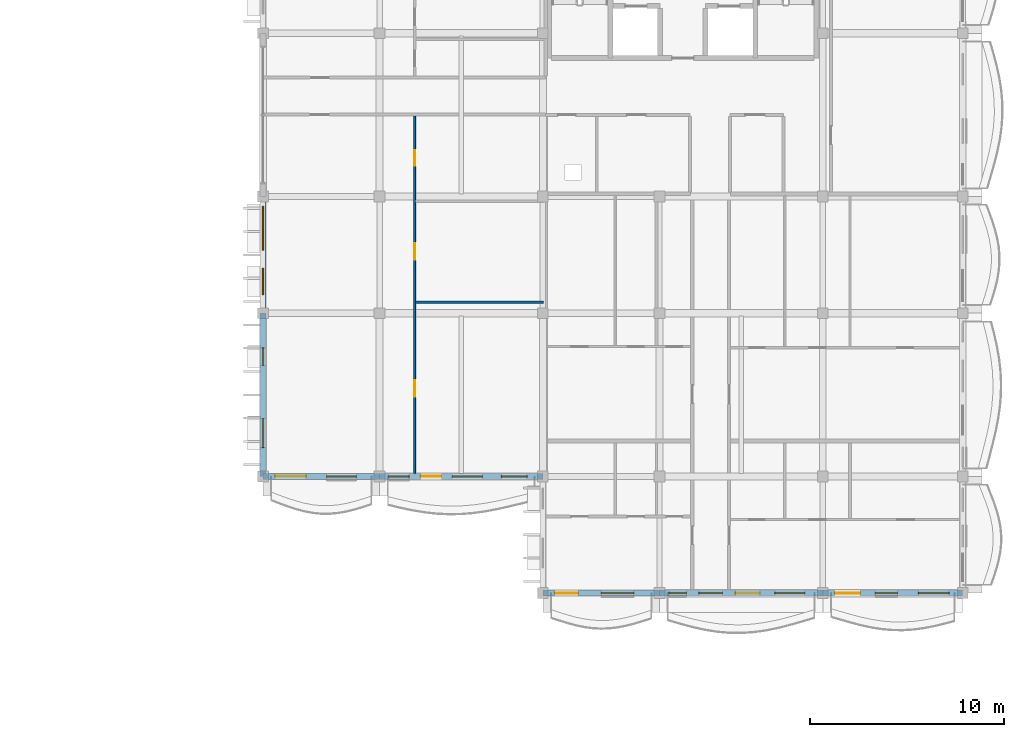
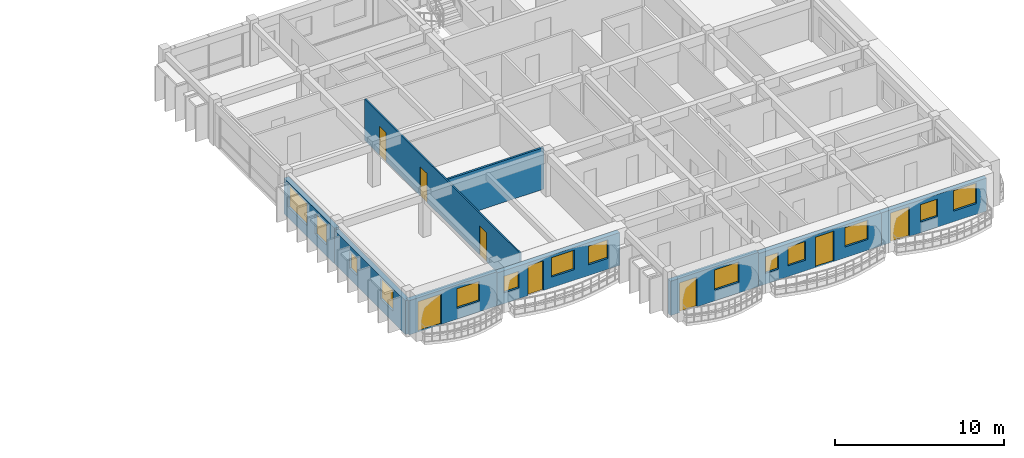
# One storey, part 41 of 79: 14 windows, 9 walls, 8 doors, 22 openings.
"""IFC4 building model written with IfcOpenShell, lengths in metres."""

from ifc_helpers import new_model, si_unit, direction, frame, frame_2d, origin, place, context, subcontext, project, spatial, rectangle, extrude, material, layer, layer_set, type_object, element, fill, save


model = new_model("IFC4")

# Units and contexts
model_context = context("Model", 3, precision=1e-05, world=origin(), true_north=direction((0.0, 1.0)))
body_context = subcontext(model_context, "Body", "Model", "MODEL_VIEW")
ifc_project = project(units=[si_unit("LENGTHUNIT", "METRE"), si_unit("AREAUNIT", "SQUARE_METRE"), si_unit("VOLUMEUNIT", "CUBIC_METRE"), si_unit("PLANEANGLEUNIT", "RADIAN"), si_unit("MASSUNIT", "GRAM", prefix="KILO"), si_unit("THERMODYNAMICTEMPERATUREUNIT", "KELVIN")], contexts=[model_context])

# Site, building, storey
site_placement = place(None, origin())
site = spatial("IfcSite", under=ifc_project, at=site_placement, CompositionType="ELEMENT")
building_placement = place(site_placement, origin())
building = spatial("IfcBuilding", under=site, at=building_placement, Name="Thalorik Housing Commons", CompositionType="ELEMENT")
storey_placement = place(building_placement, frame((0.0, 0.0, 11.39990234375)))
storey = spatial("IfcBuildingStorey", under=building, at=storey_placement, Name="L03", CompositionType="ELEMENT", Elevation=11.39990234375)

# Wall, openings, windows
ifc_material_1 = material(Name="White precast concrete C40/50", Category="concrete")
ifc_layer_1 = layer(ifc_material_1, 0.320068359375, Name="White precast concrete C40/50", Category="concrete")
ifc_layer_set_1 = layer_set([ifc_layer_1], Name="White precast concrete C40/50")
wall_type_1 = type_object("IfcWallType", Name="ARC-WAL-EXT-320", PredefinedType="STANDARD", material=ifc_layer_set_1)
wall_1_placement = place(storey_placement, frame((138.0, 57.60009765625, 0.0), z_axis=(0.0, 0.0, 1.0), x_axis=(0.0, -1.0, 0.0)))
wall_1 = element("IfcWall", 1, at=wall_1_placement, inside=storey, type_object=wall_type_1, Name="L03 Exterior Wall WAL-EXT-L03-D-1169", PredefinedType="STANDARD", context=body_context, shape_type="SweptSolid", body=[
    extrude(rectangle(XDim=6.0, YDim=0.320068359375, at=frame_2d((3.0, 0.0))), origin(), (0.0, 0.0, 1.0), 2.5751953125),
])
opening_1_placement = place(wall_1_placement, frame((0.5048828125, 0.0, 0.780029296875)))
opening_1 = element("IfcOpeningElement", 2, at=opening_1_placement, cuts=wall_1, Name="Opening W-31", PredefinedType="OPENING", context=body_context, shape_type="SweptSolid", body=[
    extrude(rectangle(XDim=2.25, YDim=1.60009765625, at=frame_2d((1.125, 0.800048828125))), frame((0.0, 0.169921875, 0.0), z_axis=(0.0, -1.0, 0.0), x_axis=(1.0, 0.0, 0.0)), (0.0, 0.0, 1.0), 0.340087890625),
])
opening_2_placement = place(wall_1_placement, frame((3.679931640625, 0.0, 0.780029296875)))
opening_2 = element("IfcOpeningElement", 3, at=opening_2_placement, cuts=wall_1, Name="Opening W-49", PredefinedType="OPENING", context=body_context, shape_type="SweptSolid", body=[
    extrude(rectangle(XDim=1.3798828125, YDim=1.47998046875, at=frame_2d((0.68994140625, 0.739990234375))), frame((0.0, 0.169921875, 0.0), z_axis=(0.0, -1.0, 0.0), x_axis=(1.0, 0.0, 0.0)), (0.0, 0.0, 1.0), 0.340087890625),
])
ifc_material_2 = material(Name="Anodised aluminium and solar-control low-E glass", Category="aluminium")
window_type_1 = type_object("IfcWindowType", Name="ARC-WIN-31", PartitioningType="DOUBLE_PANEL_VERTICAL", PredefinedType="WINDOW", material=ifc_material_2)
window_1_placement = place(opening_1_placement, origin())
window_1 = element("IfcWindow", 4, at=window_1_placement, inside=storey, type_object=window_type_1, Name="L03 Facade Window 2138", OverallHeight=1.60009765625, OverallWidth=2.25, PartitioningType="DOUBLE_PANEL_VERTICAL", PredefinedType="WINDOW", context=body_context, shape_type="SweptSolid", body=[
    extrude(rectangle(XDim=2.25, YDim=1.60009765625, at=frame_2d((1.125, 0.800048828125))), frame((0.0, 0.030029296875, 0.0), z_axis=(0.0, -1.0, 0.0), x_axis=(1.0, 0.0, 0.0)), (0.0, 0.0, 1.0), 0.06005859375),
])
fill(opening_1, window_1)
window_type_2 = type_object("IfcWindowType", Name="ARC-WIN-49", PartitioningType="SINGLE_PANEL", PredefinedType="WINDOW", material=ifc_material_2)
window_2_placement = place(opening_2_placement, origin())
window_2 = element("IfcWindow", 5, at=window_2_placement, inside=storey, type_object=window_type_2, Name="L03 Facade Window 2139", OverallHeight=1.47998046875, OverallWidth=1.3798828125, PartitioningType="SINGLE_PANEL", PredefinedType="WINDOW", context=body_context, shape_type="SweptSolid", body=[
    extrude(rectangle(XDim=1.3798828125, YDim=1.47998046875, at=frame_2d((0.68994140625, 0.739990234375))), frame((0.0, 0.030029296875, 0.0), z_axis=(0.0, -1.0, 0.0), x_axis=(1.0, 0.0, 0.0)), (0.0, 0.0, 1.0), 0.06005859375),
])
fill(opening_2, window_2)

wall_2_placement = place(storey_placement, frame((138.0, 51.60009765625, 0.0), z_axis=(0.0, 0.0, 1.0), x_axis=(0.0, -1.0, 0.0)))
wall_2 = element("IfcWall", 6, at=wall_2_placement, inside=storey, type_object=wall_type_1, Name="L03 Exterior Wall WAL-EXT-L03-D-1170", PredefinedType="STANDARD", context=body_context, shape_type="SweptSolid", body=[
    extrude(rectangle(XDim=8.400146484375, YDim=0.320068359375, at=frame_2d((4.2001953125, 0.0))), origin(), (0.0, 0.0, 1.0), 2.425048828125),
])
opening_3_placement = place(wall_2_placement, frame((1.780029296875, 0.0, 0.780029296875)))
opening_3 = element("IfcOpeningElement", 7, at=opening_3_placement, cuts=wall_2, Name="Opening W-01", PredefinedType="OPENING", context=body_context, shape_type="SweptSolid", body=[
    extrude(rectangle(XDim=0.89990234375, YDim=1.199951171875, at=frame_2d((0.449951171875, 0.60009765625))), frame((0.0, 0.169921875, 0.0), z_axis=(0.0, -1.0, 0.0), x_axis=(1.0, 0.0, 0.0)), (0.0, 0.0, 1.0), 0.340087890625),
])
opening_4_placement = place(wall_2_placement, frame((5.419921875, 0.0, 0.780029296875)))
opening_4 = element("IfcOpeningElement", 8, at=opening_4_placement, cuts=wall_2, Name="Opening W-10", PredefinedType="OPENING", context=body_context, shape_type="SweptSolid", body=[
    extrude(rectangle(XDim=1.5, YDim=1.5, at=frame_2d((0.75, 0.75))), frame((0.0, 0.169921875, 0.0), z_axis=(0.0, -1.0, 0.0), x_axis=(1.0, 0.0, 0.0)), (0.0, 0.0, 1.0), 0.340087890625),
])
window_type_3 = type_object("IfcWindowType", Name="ARC-WIN-01", PartitioningType="SINGLE_PANEL", PredefinedType="WINDOW", material=ifc_material_2)
window_3_placement = place(opening_3_placement, origin())
window_3 = element("IfcWindow", 9, at=window_3_placement, inside=storey, type_object=window_type_3, Name="L03 Facade Window 2140", OverallHeight=1.199951171875, OverallWidth=0.89990234375, PartitioningType="SINGLE_PANEL", PredefinedType="WINDOW", context=body_context, shape_type="SweptSolid", body=[
    extrude(rectangle(XDim=0.89990234375, YDim=1.199951171875, at=frame_2d((0.449951171875, 0.60009765625))), frame((0.0, 0.030029296875, 0.0), z_axis=(0.0, -1.0, 0.0), x_axis=(1.0, 0.0, 0.0)), (0.0, 0.0, 1.0), 0.06005859375),
])
fill(opening_3, window_3)
window_type_4 = type_object("IfcWindowType", Name="ARC-WIN-10", PartitioningType="SINGLE_PANEL", PredefinedType="WINDOW", material=ifc_material_2)
window_4_placement = place(opening_4_placement, origin())
window_4 = element("IfcWindow", 10, at=window_4_placement, inside=storey, type_object=window_type_4, Name="L03 Facade Window 2141", OverallHeight=1.5, OverallWidth=1.5, PartitioningType="SINGLE_PANEL", PredefinedType="WINDOW", context=body_context, shape_type="SweptSolid", body=[
    extrude(rectangle(XDim=1.5, YDim=1.5, at=frame_2d((0.75, 0.75))), frame((0.0, 0.030029296875, 0.0), z_axis=(0.0, -1.0, 0.0), x_axis=(1.0, 0.0, 0.0)), (0.0, 0.0, 1.0), 0.06005859375),
])
fill(opening_4, window_4)

# Wall, openings, door, window
wall_3_placement = place(storey_placement, frame((138.0, 43.199951171875, 0.0), z_axis=(0.0, 0.0, 1.0), x_axis=(1.0, 0.0, 0.0)))
wall_3 = element("IfcWall", 11, at=wall_3_placement, inside=storey, type_object=wall_type_1, Name="L03 Exterior Wall WAL-EXT-L03-D-1171", PredefinedType="STANDARD", context=body_context, shape_type="SweptSolid", body=[
    extrude(rectangle(XDim=6.0, YDim=0.320068359375, at=frame_2d((3.0, 0.0))), origin(), (0.0, 0.0, 1.0), 2.47509765625),
])
opening_5_placement = place(wall_3_placement, frame((0.6201171875, 0.0, 0.0)))
opening_5 = element("IfcOpeningElement", 12, at=opening_5_placement, cuts=wall_3, Name="Opening ED-0386", PredefinedType="OPENING", context=body_context, shape_type="SweptSolid", body=[
    extrude(rectangle(XDim=1.60009765625, YDim=2.199951171875, at=frame_2d((0.800048828125, 1.10009765625))), frame((0.0, 0.169921875, 0.0), z_axis=(0.0, -1.0, 0.0), x_axis=(1.0, 0.0, 0.0)), (0.0, 0.0, 1.0), 0.340087890625),
])
opening_6_placement = place(wall_3_placement, frame((3.280029296875, 0.0, 0.780029296875)))
opening_6 = element("IfcOpeningElement", 13, at=opening_6_placement, cuts=wall_3, Name="Opening W-52", PredefinedType="OPENING", context=body_context, shape_type="SweptSolid", body=[
    extrude(rectangle(XDim=1.52001953125, YDim=1.419921875, at=frame_2d((0.760009765625, 0.7099609375))), frame((0.0, 0.169921875, 0.0), z_axis=(0.0, -1.0, 0.0), x_axis=(1.0, 0.0, 0.0)), (0.0, 0.0, 1.0), 0.340087890625),
])
ifc_material_3 = material(Name="Anodised aluminium and laminated safety glass", Category="aluminium")
door_type_1 = type_object("IfcDoorType", Name="ARC-DR-BAL-1600", OperationType="NOTDEFINED", PredefinedType="DOOR", material=ifc_material_3)
door_1_placement = place(opening_5_placement, frame((1.60009765625, 0.0, 0.0), z_axis=(0.0, 0.0, 1.0), x_axis=(-1.0, 0.0, 0.0)))
door_1 = element("IfcDoor", 14, at=door_1_placement, inside=storey, type_object=door_type_1, Name="L03 Block D Balcony Glazed Door", OperationType="SLIDING_TO_LEFT", OverallHeight=2.199951171875, OverallWidth=1.60009765625, PredefinedType="DOOR", context=body_context, shape_type="SweptSolid", body=[
    extrude(rectangle(XDim=1.60009765625, YDim=2.199951171875, at=frame_2d((0.800048828125, 1.10009765625))), frame((0.0, 0.02490234375, 0.0), z_axis=(0.0, -1.0, 0.0), x_axis=(1.0, 0.0, 0.0)), (0.0, 0.0, 1.0), 0.050048828125),
])
fill(opening_5, door_1)
window_type_5 = type_object("IfcWindowType", Name="ARC-WIN-52", PartitioningType="SINGLE_PANEL", PredefinedType="WINDOW", material=ifc_material_2)
window_5_placement = place(opening_6_placement, origin())
window_5 = element("IfcWindow", 15, at=window_5_placement, inside=storey, type_object=window_type_5, Name="L03 Facade Window 2142", OverallHeight=1.419921875, OverallWidth=1.52001953125, PartitioningType="SINGLE_PANEL", PredefinedType="WINDOW", context=body_context, shape_type="SweptSolid", body=[
    extrude(rectangle(XDim=1.52001953125, YDim=1.419921875, at=frame_2d((0.760009765625, 0.7099609375))), frame((0.0, 0.030029296875, 0.0), z_axis=(0.0, -1.0, 0.0), x_axis=(1.0, 0.0, 0.0)), (0.0, 0.0, 1.0), 0.06005859375),
])
fill(opening_6, window_5)

# Wall, openings, door, windows
wall_4_placement = place(storey_placement, frame((144.0, 43.199951171875, 0.0), z_axis=(0.0, 0.0, 1.0), x_axis=(1.0, 0.0, 0.0)))
wall_4 = element("IfcWall", 16, at=wall_4_placement, inside=storey, type_object=wall_type_1, Name="L03 Exterior Wall WAL-EXT-L03-D-1172", PredefinedType="STANDARD", context=body_context, shape_type="SweptSolid", body=[
    extrude(rectangle(XDim=8.39990234375, YDim=0.320068359375, at=frame_2d((4.199951171875, 0.0))), origin(), (0.0, 0.0, 1.0), 2.375),
])
opening_7_placement = place(wall_4_placement, frame((2.1298828125, 0.0, 0.0)))
opening_7 = element("IfcOpeningElement", 17, at=opening_7_placement, cuts=wall_4, Name="Opening ED-0387", PredefinedType="OPENING", context=body_context, shape_type="SweptSolid", body=[
    extrude(rectangle(XDim=1.050048828125, YDim=2.14990234375, at=frame_2d((0.52490234375, 1.074951171875))), frame((0.0, 0.169921875, 0.0), z_axis=(0.0, -1.0, 0.0), x_axis=(1.0, 0.0, 0.0)), (0.0, 0.0, 1.0), 0.340087890625),
])
opening_8_placement = place(wall_4_placement, frame((0.469970703125, 0.0, 0.780029296875)))
opening_8 = element("IfcOpeningElement", 18, at=opening_8_placement, cuts=wall_4, Name="Opening W-44", PredefinedType="OPENING", context=body_context, shape_type="SweptSolid", body=[
    extrude(rectangle(XDim=1.050048828125, YDim=1.199951171875, at=frame_2d((0.52490234375, 0.60009765625))), frame((0.0, 0.169921875, 0.0), z_axis=(0.0, -1.0, 0.0), x_axis=(1.0, 0.0, 0.0)), (0.0, 0.0, 1.0), 0.340087890625),
])
opening_9_placement = place(wall_4_placement, frame((3.735107421875, 0.0, 0.780029296875)))
opening_9 = element("IfcOpeningElement", 19, at=opening_9_placement, cuts=wall_4, Name="Opening W-12", PredefinedType="OPENING", context=body_context, shape_type="SweptSolid", body=[
    extrude(rectangle(XDim=1.550048828125, YDim=1.39990234375, at=frame_2d((0.77490234375, 0.699951171875))), frame((0.0, 0.169921875, 0.0), z_axis=(0.0, -1.0, 0.0), x_axis=(1.0, 0.0, 0.0)), (0.0, 0.0, 1.0), 0.340087890625),
])
opening_10_placement = place(wall_4_placement, frame((6.27001953125, 0.0, 0.780029296875)))
opening_10 = element("IfcOpeningElement", 20, at=opening_10_placement, cuts=wall_4, Name="Opening W-48", PredefinedType="OPENING", context=body_context, shape_type="SweptSolid", body=[
    extrude(rectangle(XDim=1.320068359375, YDim=1.35009765625, at=frame_2d((0.66015625, 0.675048828125))), frame((0.0, 0.169921875, 0.0), z_axis=(0.0, -1.0, 0.0), x_axis=(1.0, 0.0, 0.0)), (0.0, 0.0, 1.0), 0.340087890625),
])
door_type_2 = type_object("IfcDoorType", Name="ARC-DR-BAL-1050", OperationType="NOTDEFINED", PredefinedType="DOOR", material=ifc_material_3)
door_2_placement = place(opening_7_placement, frame((1.050048828125, 0.0, 0.0), z_axis=(0.0, 0.0, 1.0), x_axis=(-1.0, 0.0, 0.0)))
door_2 = element("IfcDoor", 21, at=door_2_placement, inside=storey, type_object=door_type_2, Name="L03 Block D Balcony Glazed Door", OperationType="SINGLE_SWING_RIGHT", OverallHeight=2.14990234375, OverallWidth=1.050048828125, PredefinedType="DOOR", context=body_context, shape_type="SweptSolid", body=[
    extrude(rectangle(XDim=1.050048828125, YDim=2.14990234375, at=frame_2d((0.52490234375, 1.074951171875))), frame((0.0, 0.02490234375, 0.0), z_axis=(0.0, -1.0, 0.0), x_axis=(1.0, 0.0, 0.0)), (0.0, 0.0, 1.0), 0.050048828125),
])
fill(opening_7, door_2)
window_type_6 = type_object("IfcWindowType", Name="ARC-WIN-12", PartitioningType="SINGLE_PANEL", PredefinedType="WINDOW", material=ifc_material_2)
window_6_placement = place(opening_9_placement, origin())
window_6 = element("IfcWindow", 22, at=window_6_placement, inside=storey, type_object=window_type_6, Name="L03 Facade Window 2144", OverallHeight=1.39990234375, OverallWidth=1.550048828125, PartitioningType="SINGLE_PANEL", PredefinedType="WINDOW", context=body_context, shape_type="SweptSolid", body=[
    extrude(rectangle(XDim=1.550048828125, YDim=1.39990234375, at=frame_2d((0.77490234375, 0.699951171875))), frame((0.0, 0.030029296875, 0.0), z_axis=(0.0, -1.0, 0.0), x_axis=(1.0, 0.0, 0.0)), (0.0, 0.0, 1.0), 0.06005859375),
])
fill(opening_9, window_6)
window_type_7 = type_object("IfcWindowType", Name="ARC-WIN-44", PartitioningType="SINGLE_PANEL", PredefinedType="WINDOW", material=ifc_material_2)
window_7_placement = place(opening_8_placement, origin())
window_7 = element("IfcWindow", 23, at=window_7_placement, inside=storey, type_object=window_type_7, Name="L03 Facade Window 2143", OverallHeight=1.199951171875, OverallWidth=1.050048828125, PartitioningType="SINGLE_PANEL", PredefinedType="WINDOW", context=body_context, shape_type="SweptSolid", body=[
    extrude(rectangle(XDim=1.050048828125, YDim=1.199951171875, at=frame_2d((0.52490234375, 0.60009765625))), frame((0.0, 0.030029296875, 0.0), z_axis=(0.0, -1.0, 0.0), x_axis=(1.0, 0.0, 0.0)), (0.0, 0.0, 1.0), 0.06005859375),
])
fill(opening_8, window_7)
window_type_8 = type_object("IfcWindowType", Name="ARC-WIN-48", PartitioningType="SINGLE_PANEL", PredefinedType="WINDOW", material=ifc_material_2)
window_8_placement = place(opening_10_placement, origin())
window_8 = element("IfcWindow", 24, at=window_8_placement, inside=storey, type_object=window_type_8, Name="L03 Facade Window 2145", OverallHeight=1.35009765625, OverallWidth=1.320068359375, PartitioningType="SINGLE_PANEL", PredefinedType="WINDOW", context=body_context, shape_type="SweptSolid", body=[
    extrude(rectangle(XDim=1.320068359375, YDim=1.35009765625, at=frame_2d((0.66015625, 0.675048828125))), frame((0.0, 0.030029296875, 0.0), z_axis=(0.0, -1.0, 0.0), x_axis=(1.0, 0.0, 0.0)), (0.0, 0.0, 1.0), 0.06005859375),
])
fill(opening_10, window_8)

# Wall, openings, door, window
wall_5_placement = place(storey_placement, frame((152.39990234375, 37.199951171875, 0.0), z_axis=(0.0, 0.0, 1.0), x_axis=(1.0, 0.0, 0.0)))
wall_5 = element("IfcWall", 25, at=wall_5_placement, inside=storey, type_object=wall_type_1, Name="L03 Exterior Wall WAL-EXT-L03-D-1174", PredefinedType="STANDARD", context=body_context, shape_type="SweptSolid", body=[
    extrude(rectangle(XDim=6.0, YDim=0.320068359375, at=frame_2d((3.0, 0.0))), origin(), (0.0, 0.0, 1.0), 2.47509765625),
])
opening_11_placement = place(wall_5_placement, frame((0.6201171875, 0.0, 0.0)))
opening_11 = element("IfcOpeningElement", 26, at=opening_11_placement, cuts=wall_5, Name="Opening ED-0388", PredefinedType="OPENING", context=body_context, shape_type="SweptSolid", body=[
    extrude(rectangle(XDim=1.199951171875, YDim=2.14990234375, at=frame_2d((0.60009765625, 1.074951171875))), frame((0.0, 0.169921875, 0.0), z_axis=(0.0, -1.0, 0.0), x_axis=(1.0, 0.0, 0.0)), (0.0, 0.0, 1.0), 0.340087890625),
])
opening_12_placement = place(wall_5_placement, frame((3.0, 0.0, 0.780029296875)))
opening_12 = element("IfcOpeningElement", 27, at=opening_12_placement, cuts=wall_5, Name="Opening W-55", PredefinedType="OPENING", context=body_context, shape_type="SweptSolid", body=[
    extrude(rectangle(XDim=1.679931640625, YDim=1.4599609375, at=frame_2d((0.83984375, 0.72998046875))), frame((0.0, 0.169921875, 0.0), z_axis=(0.0, -1.0, 0.0), x_axis=(1.0, 0.0, 0.0)), (0.0, 0.0, 1.0), 0.340087890625),
])
door_type_3 = type_object("IfcDoorType", Name="ARC-DR-BAL-1200", OperationType="NOTDEFINED", PredefinedType="DOOR", material=ifc_material_3)
door_3_placement = place(opening_11_placement, frame((1.199951171875, 0.0, 0.0), z_axis=(0.0, 0.0, 1.0), x_axis=(-1.0, 0.0, 0.0)))
door_3 = element("IfcDoor", 28, at=door_3_placement, inside=storey, type_object=door_type_3, Name="L03 Block D Balcony Glazed Door", OperationType="SINGLE_SWING_LEFT", OverallHeight=2.14990234375, OverallWidth=1.199951171875, PredefinedType="DOOR", context=body_context, shape_type="SweptSolid", body=[
    extrude(rectangle(XDim=1.199951171875, YDim=2.14990234375, at=frame_2d((0.60009765625, 1.074951171875))), frame((0.0, 0.02490234375, 0.0), z_axis=(0.0, -1.0, 0.0), x_axis=(1.0, 0.0, 0.0)), (0.0, 0.0, 1.0), 0.050048828125),
])
fill(opening_11, door_3)
window_type_9 = type_object("IfcWindowType", Name="ARC-WIN-55", PartitioningType="DOUBLE_PANEL_VERTICAL", PredefinedType="WINDOW", material=ifc_material_2)
window_9_placement = place(opening_12_placement, origin())
window_9 = element("IfcWindow", 29, at=window_9_placement, inside=storey, type_object=window_type_9, Name="L03 Facade Window 2148", OverallHeight=1.4599609375, OverallWidth=1.679931640625, PartitioningType="DOUBLE_PANEL_VERTICAL", PredefinedType="WINDOW", context=body_context, shape_type="SweptSolid", body=[
    extrude(rectangle(XDim=1.679931640625, YDim=1.4599609375, at=frame_2d((0.83984375, 0.72998046875))), frame((0.0, 0.030029296875, 0.0), z_axis=(0.0, -1.0, 0.0), x_axis=(1.0, 0.0, 0.0)), (0.0, 0.0, 1.0), 0.06005859375),
])
fill(opening_12, window_9)

# Wall, openings, door, windows
wall_6_placement = place(storey_placement, frame((158.39990234375, 37.199951171875, 0.0), z_axis=(0.0, 0.0, 1.0), x_axis=(1.0, 0.0, 0.0)))
wall_6 = element("IfcWall", 30, at=wall_6_placement, inside=storey, type_object=wall_type_1, Name="L03 Exterior Wall WAL-EXT-L03-D-1175", PredefinedType="STANDARD", context=body_context, shape_type="SweptSolid", body=[
    extrude(rectangle(XDim=8.400146484375, YDim=0.320068359375, at=frame_2d((4.2001953125, 0.0))), origin(), (0.0, 0.0, 1.0), 2.375),
])
opening_13_placement = place(wall_6_placement, frame((3.909912109375, 0.0, 0.0)))
opening_13 = element("IfcOpeningElement", 31, at=opening_13_placement, cuts=wall_6, Name="Opening ED-0389", PredefinedType="OPENING", context=body_context, shape_type="SweptSolid", body=[
    extrude(rectangle(XDim=1.25, YDim=2.199951171875, at=frame_2d((0.625, 1.10009765625))), frame((0.0, 0.169921875, 0.0), z_axis=(0.0, -1.0, 0.0), x_axis=(1.0, 0.0, 0.0)), (0.0, 0.0, 1.0), 0.340087890625),
])
opening_14_placement = place(wall_6_placement, frame((0.485107421875, 0.0, 0.780029296875)))
opening_14 = element("IfcOpeningElement", 32, at=opening_14_placement, cuts=wall_6, Name="Opening W-01", PredefinedType="OPENING", context=body_context, shape_type="SweptSolid", body=[
    extrude(rectangle(XDim=0.89990234375, YDim=1.199951171875, at=frame_2d((0.449951171875, 0.60009765625))), frame((0.0, 0.169921875, 0.0), z_axis=(0.0, -1.0, 0.0), x_axis=(1.0, 0.0, 0.0)), (0.0, 0.0, 1.0), 0.340087890625),
])
opening_15_placement = place(wall_6_placement, frame((2.030029296875, 0.0, 0.780029296875)))
opening_15 = element("IfcOpeningElement", 33, at=opening_15_placement, cuts=wall_6, Name="Opening W-04", PredefinedType="OPENING", context=body_context, shape_type="SweptSolid", body=[
    extrude(rectangle(XDim=1.199951171875, YDim=1.35009765625, at=frame_2d((0.60009765625, 0.675048828125))), frame((0.0, 0.169921875, 0.0), z_axis=(0.0, -1.0, 0.0), x_axis=(1.0, 0.0, 0.0)), (0.0, 0.0, 1.0), 0.340087890625),
])
opening_16_placement = place(wall_6_placement, frame((5.93505859375, 0.0, 0.780029296875)))
opening_16 = element("IfcOpeningElement", 34, at=opening_16_placement, cuts=wall_6, Name="Opening W-12", PredefinedType="OPENING", context=body_context, shape_type="SweptSolid", body=[
    extrude(rectangle(XDim=1.550048828125, YDim=1.39990234375, at=frame_2d((0.77490234375, 0.699951171875))), frame((0.0, 0.169921875, 0.0), z_axis=(0.0, -1.0, 0.0), x_axis=(1.0, 0.0, 0.0)), (0.0, 0.0, 1.0), 0.340087890625),
])
door_type_4 = type_object("IfcDoorType", Name="ARC-DR-BAL-1250", OperationType="NOTDEFINED", PredefinedType="DOOR", material=ifc_material_3)
door_4_placement = place(opening_13_placement, frame((1.25, 0.0, 0.0), z_axis=(0.0, 0.0, 1.0), x_axis=(-1.0, 0.0, 0.0)))
door_4 = element("IfcDoor", 35, at=door_4_placement, inside=storey, type_object=door_type_4, Name="L03 Block D Balcony Glazed Door", OperationType="SINGLE_SWING_RIGHT", OverallHeight=2.199951171875, OverallWidth=1.25, PredefinedType="DOOR", context=body_context, shape_type="SweptSolid", body=[
    extrude(rectangle(XDim=1.25, YDim=2.199951171875, at=frame_2d((0.625, 1.10009765625))), frame((0.0, 0.02490234375, 0.0), z_axis=(0.0, -1.0, 0.0), x_axis=(1.0, 0.0, 0.0)), (0.0, 0.0, 1.0), 0.050048828125),
])
fill(opening_13, door_4)
window_10_placement = place(opening_14_placement, origin())
window_10 = element("IfcWindow", 36, at=window_10_placement, inside=storey, type_object=window_type_3, Name="L03 Facade Window 2149", OverallHeight=1.199951171875, OverallWidth=0.89990234375, PartitioningType="SINGLE_PANEL", PredefinedType="WINDOW", context=body_context, shape_type="SweptSolid", body=[
    extrude(rectangle(XDim=0.89990234375, YDim=1.199951171875, at=frame_2d((0.449951171875, 0.60009765625))), frame((0.0, 0.030029296875, 0.0), z_axis=(0.0, -1.0, 0.0), x_axis=(1.0, 0.0, 0.0)), (0.0, 0.0, 1.0), 0.06005859375),
])
fill(opening_14, window_10)
window_type_10 = type_object("IfcWindowType", Name="ARC-WIN-04", PartitioningType="SINGLE_PANEL", PredefinedType="WINDOW", material=ifc_material_2)
window_11_placement = place(opening_15_placement, origin())
window_11 = element("IfcWindow", 37, at=window_11_placement, inside=storey, type_object=window_type_10, Name="L03 Facade Window 2150", OverallHeight=1.35009765625, OverallWidth=1.199951171875, PartitioningType="SINGLE_PANEL", PredefinedType="WINDOW", context=body_context, shape_type="SweptSolid", body=[
    extrude(rectangle(XDim=1.199951171875, YDim=1.35009765625, at=frame_2d((0.60009765625, 0.675048828125))), frame((0.0, 0.030029296875, 0.0), z_axis=(0.0, -1.0, 0.0), x_axis=(1.0, 0.0, 0.0)), (0.0, 0.0, 1.0), 0.06005859375),
])
fill(opening_15, window_11)
window_12_placement = place(opening_16_placement, origin())
window_12 = element("IfcWindow", 38, at=window_12_placement, inside=storey, type_object=window_type_6, Name="L03 Facade Window 2151", OverallHeight=1.39990234375, OverallWidth=1.550048828125, PartitioningType="SINGLE_PANEL", PredefinedType="WINDOW", context=body_context, shape_type="SweptSolid", body=[
    extrude(rectangle(XDim=1.550048828125, YDim=1.39990234375, at=frame_2d((0.77490234375, 0.699951171875))), frame((0.0, 0.030029296875, 0.0), z_axis=(0.0, -1.0, 0.0), x_axis=(1.0, 0.0, 0.0)), (0.0, 0.0, 1.0), 0.06005859375),
])
fill(opening_16, window_12)

wall_7_placement = place(storey_placement, frame((166.800048828125, 37.199951171875, 0.0), z_axis=(0.0, 0.0, 1.0), x_axis=(1.0, 0.0, 0.0)))
wall_7 = element("IfcWall", 39, at=wall_7_placement, inside=storey, type_object=wall_type_1, Name="L03 Exterior Wall WAL-EXT-L03-D-1176", PredefinedType="STANDARD", context=body_context, shape_type="SweptSolid", body=[
    extrude(rectangle(XDim=7.199951171875, YDim=0.320068359375, at=frame_2d((3.60009765625, 0.0))), origin(), (0.0, 0.0, 1.0), 2.375),
])
opening_17_placement = place(wall_7_placement, frame((0.6201171875, 0.0, 0.0)))
opening_17 = element("IfcOpeningElement", 40, at=opening_17_placement, cuts=wall_7, Name="Opening ED-0390", PredefinedType="OPENING", context=body_context, shape_type="SweptSolid", body=[
    extrude(rectangle(XDim=1.300048828125, YDim=2.14990234375, at=frame_2d((0.64990234375, 1.074951171875))), frame((0.0, 0.169921875, 0.0), z_axis=(0.0, -1.0, 0.0), x_axis=(1.0, 0.0, 0.0)), (0.0, 0.0, 1.0), 0.340087890625),
])
opening_18_placement = place(wall_7_placement, frame((2.68994140625, 0.0, 0.780029296875)))
opening_18 = element("IfcOpeningElement", 41, at=opening_18_placement, cuts=wall_7, Name="Opening W-45", PredefinedType="OPENING", context=body_context, shape_type="SweptSolid", body=[
    extrude(rectangle(XDim=1.14990234375, YDim=1.25, at=frame_2d((0.574951171875, 0.625))), frame((0.0, 0.169921875, 0.0), z_axis=(0.0, -1.0, 0.0), x_axis=(1.0, 0.0, 0.0)), (0.0, 0.0, 1.0), 0.340087890625),
])
opening_19_placement = place(wall_7_placement, frame((4.925048828125, 0.0, 0.780029296875)))
opening_19 = element("IfcOpeningElement", 42, at=opening_19_placement, cuts=wall_7, Name="Opening W-53", PredefinedType="OPENING", context=body_context, shape_type="SweptSolid", body=[
    extrude(rectangle(XDim=1.580078125, YDim=1.47998046875, at=frame_2d((0.7900390625, 0.739990234375))), frame((0.0, 0.169921875, 0.0), z_axis=(0.0, -1.0, 0.0), x_axis=(1.0, 0.0, 0.0)), (0.0, 0.0, 1.0), 0.340087890625),
])
door_type_5 = type_object("IfcDoorType", Name="ARC-DR-BAL-1300", OperationType="NOTDEFINED", PredefinedType="DOOR", material=ifc_material_3)
door_5_placement = place(opening_17_placement, frame((1.300048828125, 0.0, 0.0), z_axis=(0.0, 0.0, 1.0), x_axis=(-1.0, 0.0, 0.0)))
door_5 = element("IfcDoor", 43, at=door_5_placement, inside=storey, type_object=door_type_5, Name="L03 Block D Balcony Glazed Door", OperationType="SINGLE_SWING_LEFT", OverallHeight=2.14990234375, OverallWidth=1.300048828125, PredefinedType="DOOR", context=body_context, shape_type="SweptSolid", body=[
    extrude(rectangle(XDim=1.300048828125, YDim=2.14990234375, at=frame_2d((0.64990234375, 1.074951171875))), frame((0.0, 0.02490234375, 0.0), z_axis=(0.0, -1.0, 0.0), x_axis=(1.0, 0.0, 0.0)), (0.0, 0.0, 1.0), 0.050048828125),
])
fill(opening_17, door_5)
window_type_11 = type_object("IfcWindowType", Name="ARC-WIN-45", PartitioningType="SINGLE_PANEL", PredefinedType="WINDOW", material=ifc_material_2)
window_13_placement = place(opening_18_placement, origin())
window_13 = element("IfcWindow", 44, at=window_13_placement, inside=storey, type_object=window_type_11, Name="L03 Facade Window 2152", OverallHeight=1.25, OverallWidth=1.14990234375, PartitioningType="SINGLE_PANEL", PredefinedType="WINDOW", context=body_context, shape_type="SweptSolid", body=[
    extrude(rectangle(XDim=1.14990234375, YDim=1.25, at=frame_2d((0.574951171875, 0.625))), frame((0.0, 0.030029296875, 0.0), z_axis=(0.0, -1.0, 0.0), x_axis=(1.0, 0.0, 0.0)), (0.0, 0.0, 1.0), 0.06005859375),
])
fill(opening_18, window_13)
window_type_12 = type_object("IfcWindowType", Name="ARC-WIN-53", PartitioningType="SINGLE_PANEL", PredefinedType="WINDOW", material=ifc_material_2)
window_14_placement = place(opening_19_placement, origin())
window_14 = element("IfcWindow", 45, at=window_14_placement, inside=storey, type_object=window_type_12, Name="L03 Facade Window 2153", OverallHeight=1.47998046875, OverallWidth=1.580078125, PartitioningType="SINGLE_PANEL", PredefinedType="WINDOW", context=body_context, shape_type="SweptSolid", body=[
    extrude(rectangle(XDim=1.580078125, YDim=1.47998046875, at=frame_2d((0.7900390625, 0.739990234375))), frame((0.0, 0.030029296875, 0.0), z_axis=(0.0, -1.0, 0.0), x_axis=(1.0, 0.0, 0.0)), (0.0, 0.0, 1.0), 0.06005859375),
])
fill(opening_19, window_14)

# Wall, openings, doors
ifc_material_4 = material(Name="Gypsum light stud partition", Category="masonry")
ifc_layer_2 = layer(ifc_material_4, 0.10009765625, Name="Gypsum light stud partition", Category="masonry")
ifc_layer_set_2 = layer_set([ifc_layer_2], Name="Gypsum light stud partition")
wall_type_2 = type_object("IfcWallType", Name="ARC-WAL-PART-100", PredefinedType="PARTITIONING", material=ifc_layer_set_2)
wall_8_placement = place(storey_placement, frame((145.800048828125, 43.362060546875, 0.0), z_axis=(0.0, 0.0, 1.0), x_axis=(0.0, 1.0, 0.0)))
wall_8 = element("IfcWall", 46, at=wall_8_placement, inside=storey, type_object=wall_type_2, Name="L03 Unit 1 Spine Partition", PredefinedType="PARTITIONING", context=body_context, shape_type="SweptSolid", body=[
    extrude(rectangle(XDim=18.380859375, YDim=0.10009765625, at=frame_2d((9.1904296875, 0.0))), origin(), (0.0, 0.0, 1.0), 3.0),
])
opening_20_placement = place(wall_8_placement, frame((3.927490234375, 0.0, 0.0)))
opening_20 = element("IfcOpeningElement", 47, at=opening_20_placement, cuts=wall_8, Name="Opening ID-2042", PredefinedType="OPENING", context=body_context, shape_type="SweptSolid", body=[
    extrude(rectangle(XDim=0.85009765625, YDim=2.10009765625, at=frame_2d((0.425048828125, 1.050048828125))), frame((0.0, 0.06005859375, 0.0), z_axis=(0.0, -1.0, 0.0), x_axis=(1.0, 0.0, 0.0)), (0.0, 0.0, 1.0), 0.1201171875),
])
opening_21_placement = place(wall_8_placement, frame((10.980224609375, 0.0, 0.0)))
opening_21 = element("IfcOpeningElement", 48, at=opening_21_placement, cuts=wall_8, Name="Opening ID-2043", PredefinedType="OPENING", context=body_context, shape_type="SweptSolid", body=[
    extrude(rectangle(XDim=0.85009765625, YDim=2.10009765625, at=frame_2d((0.425048828125, 1.050048828125))), frame((0.0, 0.06005859375, 0.0), z_axis=(0.0, -1.0, 0.0), x_axis=(1.0, 0.0, 0.0)), (0.0, 0.0, 1.0), 0.1201171875),
])
opening_22_placement = place(wall_8_placement, frame((15.830810546875, 0.0, 0.0)))
opening_22 = element("IfcOpeningElement", 49, at=opening_22_placement, cuts=wall_8, Name="Opening ID-2044", PredefinedType="OPENING", context=body_context, shape_type="SweptSolid", body=[
    extrude(rectangle(XDim=0.800048828125, YDim=2.10009765625, at=frame_2d((0.39990234375, 1.050048828125))), frame((0.0, 0.06005859375, 0.0), z_axis=(0.0, -1.0, 0.0), x_axis=(1.0, 0.0, 0.0)), (0.0, 0.0, 1.0), 0.1201171875),
])
ifc_material_5 = material(Name="Moisture-resistant timber", Category="wood")
door_type_6 = type_object("IfcDoorType", Name="ARC-DR-INT-800", OperationType="NOTDEFINED", PredefinedType="DOOR", material=ifc_material_5)
door_6_placement = place(opening_22_placement, origin())
door_6 = element("IfcDoor", 50, at=door_6_placement, inside=storey, type_object=door_type_6, Name="L03 Flat Bathroom Door", OperationType="SINGLE_SWING_LEFT", OverallHeight=2.10009765625, OverallWidth=0.800048828125, PredefinedType="DOOR", context=body_context, shape_type="SweptSolid", body=[
    extrude(rectangle(XDim=0.800048828125, YDim=2.10009765625, at=frame_2d((0.39990234375, 1.050048828125))), frame((0.0, 0.02490234375, 0.0), z_axis=(0.0, -1.0, 0.0), x_axis=(1.0, 0.0, 0.0)), (0.0, 0.0, 1.0), 0.050048828125),
])
fill(opening_22, door_6)
ifc_material_6 = material(Name="Engineered oak timber", Category="wood")
door_type_7 = type_object("IfcDoorType", Name="ARC-DR-INT-850", OperationType="NOTDEFINED", PredefinedType="DOOR", material=ifc_material_6)
door_7_placement = place(opening_20_placement, origin())
door_7 = element("IfcDoor", 51, at=door_7_placement, inside=storey, type_object=door_type_7, Name="L03 Master Bedroom Door", OperationType="SINGLE_SWING_LEFT", OverallHeight=2.10009765625, OverallWidth=0.85009765625, PredefinedType="DOOR", context=body_context, shape_type="SweptSolid", body=[
    extrude(rectangle(XDim=0.85009765625, YDim=2.10009765625, at=frame_2d((0.425048828125, 1.050048828125))), frame((0.0, 0.02490234375, 0.0), z_axis=(0.0, -1.0, 0.0), x_axis=(1.0, 0.0, 0.0)), (0.0, 0.0, 1.0), 0.050048828125),
])
fill(opening_20, door_7)
door_8_placement = place(opening_21_placement, origin())
door_8 = element("IfcDoor", 52, at=door_8_placement, inside=storey, type_object=door_type_7, Name="L03 Eat-In Kitchen Door", OperationType="SINGLE_SWING_RIGHT", OverallHeight=2.10009765625, OverallWidth=0.85009765625, PredefinedType="DOOR", context=body_context, shape_type="SweptSolid", body=[
    extrude(rectangle(XDim=0.85009765625, YDim=2.10009765625, at=frame_2d((0.425048828125, 1.050048828125))), frame((0.0, 0.02490234375, 0.0), z_axis=(0.0, -1.0, 0.0), x_axis=(1.0, 0.0, 0.0)), (0.0, 0.0, 1.0), 0.050048828125),
])
fill(opening_21, door_8)

# Wall
ifc_material_7 = material(Name="Ceramic masonry partition wall", Category="masonry")
ifc_layer_3 = layer(ifc_material_7, 0.139892578125, Name="Ceramic masonry partition wall", Category="masonry")
ifc_layer_set_3 = layer_set([ifc_layer_3], Name="Ceramic masonry partition wall")
wall_type_3 = type_object("IfcWallType", Name="ARC-WAL-PART-140", PredefinedType="PARTITIONING", material=ifc_layer_set_3)
wall_9_placement = place(storey_placement, frame((145.85205078125, 52.168701171875, 0.0), z_axis=(0.0, 0.0, 1.0), x_axis=(1.0, 0.0, 0.0)))
element("IfcWall", 53, at=wall_9_placement, inside=storey, type_object=wall_type_3, Name="L03 Unit 1 Bedroom Partition", PredefinedType="PARTITIONING", context=body_context, shape_type="SweptSolid", body=[
    extrude(rectangle(XDim=6.575927734375, YDim=0.139892578125, at=frame_2d((3.2880859375, 0.0))), origin(), (0.0, 0.0, 1.0), 3.0),
])

save(model, "model.ifc")
